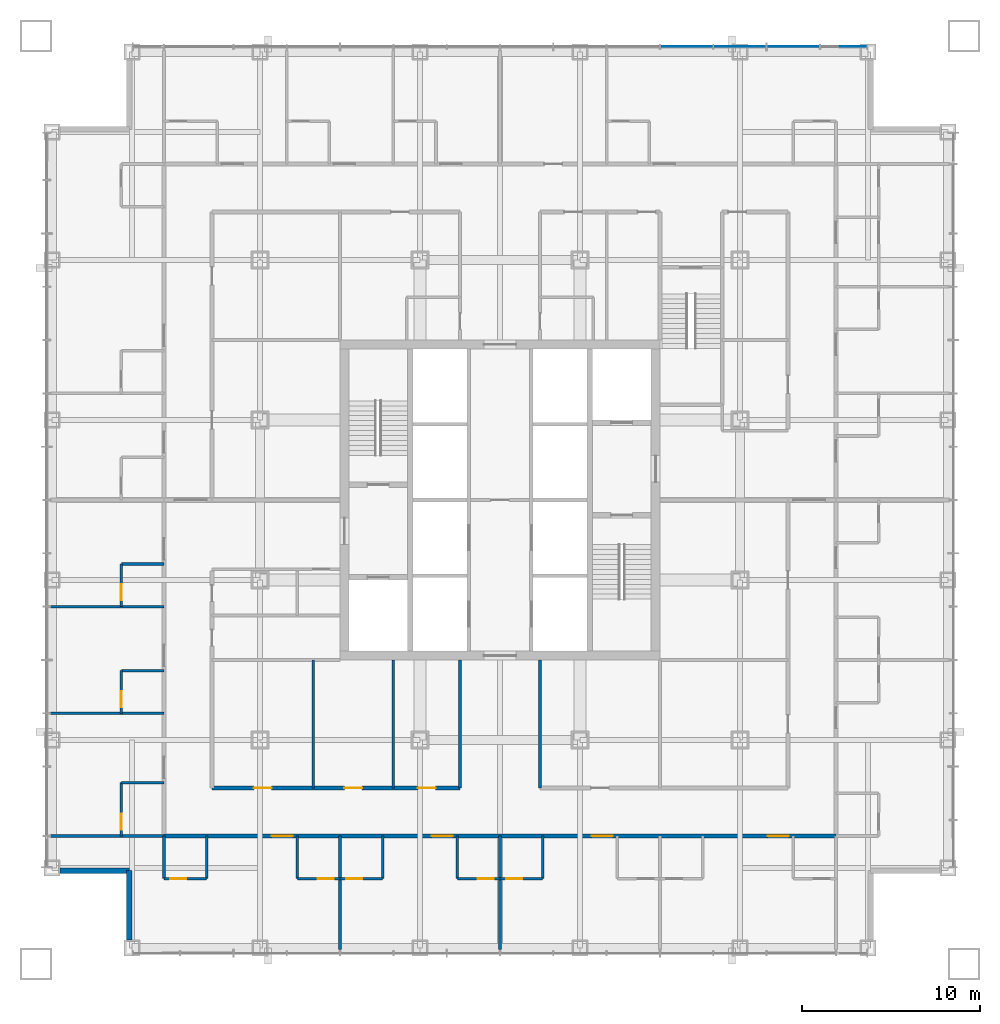
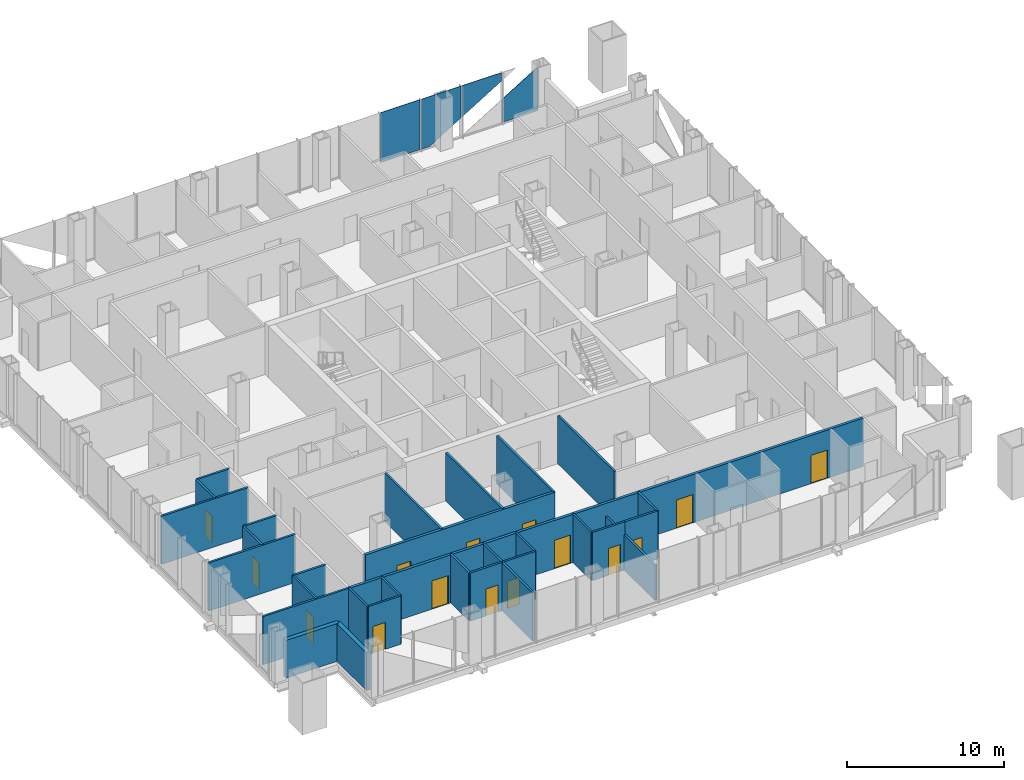
# One storey, part 7 of 17: 30 walls, 15 doors, 4 plates, 15 openings, 1 element without a shape of its own.
"""IFC4 building model written with IfcOpenShell, lengths in metres."""

from ifc_helpers import new_model, si_unit, direction, frame, frame_2d, origin, origin_2d, place, context, subcontext, project, spatial, polyline, rectangle, outline, extrude, material, layer, layer_set, type_object, element, fill, aggregate, save


model = new_model("IFC4")

# Units and contexts
model_context = context("Model", 3, precision=1e-05, world=origin(), true_north=direction((0.0, 1.0)))
body_context = subcontext(model_context, "Body", "Model", "MODEL_VIEW")
ifc_project = project(units=[si_unit("LENGTHUNIT", "METRE"), si_unit("AREAUNIT", "SQUARE_METRE"), si_unit("VOLUMEUNIT", "CUBIC_METRE"), si_unit("PLANEANGLEUNIT", "RADIAN"), si_unit("MASSUNIT", "GRAM", prefix="KILO")], contexts=[model_context])

# Site, building, storey
site_placement = place(None, origin())
site = spatial("IfcSite", under=ifc_project, at=site_placement, CompositionType="ELEMENT")
building_placement = place(site_placement, origin())
building = spatial("IfcBuilding", under=site, at=building_placement, Name="Malebo Sky Hospital", CompositionType="ELEMENT")
storey_placement = place(building_placement, frame((0.0, 0.0, 55.0)))
storey = spatial("IfcBuildingStorey", under=building, at=storey_placement, Name="L12", CompositionType="ELEMENT", Elevation=55.0)

# Curtain wall, plates
ifc_material_1 = material(Name="Anodised aluminium, natural silver", Category="aluminium")
ifc_layer_1 = layer(ifc_material_1, 0.25)
ifc_layer_set_1 = layer_set([ifc_layer_1], Name="WARD CURTAIN WALL NORTH AND SOUTH")
curtain_wall_type = type_object("IfcCurtainWallType", Name="WARD CURTAIN WALL NORTH AND SOUTH", PredefinedType="NOTDEFINED", material=ifc_layer_set_1)
curtain_wall_placement = place(storey_placement, origin())
curtain_wall = element("IfcCurtainWall", 1, at=curtain_wall_placement, inside=storey, type_object=curtain_wall_type, Name="NS curtain wall N", PredefinedType="NOTDEFINED")
ifc_material_2 = material(Name="Clear low-iron double glazing", Category="glass")
ifc_layer_2 = layer(ifc_material_2, 0.031982421875)
ifc_layer_set_2 = layer_set([ifc_layer_2], Name="VISION PANEL CLEAR 32")
plate_type = type_object("IfcPlateType", Name="VISION PANEL CLEAR 32", PredefinedType="CURTAIN_PANEL", material=ifc_layer_set_2)
plate_1_placement = place(storey_placement, frame((70.5, 87.5, 0.10009765625), z_axis=(0.0, 0.0, 1.0), x_axis=(1.0, 0.0, 0.0)))
plate_1 = element("IfcPlate", 2, at=plate_1_placement, type_object=plate_type, Name="Panel 11", PredefinedType="CURTAIN_PANEL", context=body_context, shape_type="SweptSolid", body=[
    extrude(rectangle(XDim=2.925048828125, YDim=0.031982421875, at=origin_2d()), origin(), (0.0, 0.0, 1.0), 3.889892578125),
])
plate_2_placement = place(storey_placement, frame((73.5, 87.5, 0.10009765625), z_axis=(0.0, 0.0, 1.0), x_axis=(1.0, 0.0, 0.0)))
plate_2 = element("IfcPlate", 3, at=plate_2_placement, type_object=plate_type, Name="Panel 12", PredefinedType="CURTAIN_PANEL", context=body_context, shape_type="SweptSolid", body=[
    extrude(outline(polyline([(-1.46240234375, 0.0), (-0.831298828125, 0.0), (1.46240234375, 1.40625), (1.46240234375, 3.889892578125), (-1.46240234375, 3.889892578125), (-1.46240234375, 0.0)])), frame((0.0, 0.01611328125, 0.0), z_axis=(0.0, -1.0, 0.0), x_axis=(1.0, 0.0, 0.0)), (0.0, 0.0, 1.0), 0.031982421875),
])
plate_3_placement = place(storey_placement, frame((76.5, 87.5, 1.552001953125), z_axis=(0.0, 0.0, 1.0), x_axis=(1.0, 0.0, 0.0)))
plate_3 = element("IfcPlate", 4, at=plate_3_placement, type_object=plate_type, Name="Panel 13", PredefinedType="CURTAIN_PANEL", context=body_context, shape_type="SweptSolid", body=[
    extrude(outline(polyline([(-1.46240234375, 0.0), (1.46240234375, 1.793212890625), (1.46240234375, 2.43798828125), (-1.46240234375, 2.43798828125), (-1.46240234375, 0.0)])), frame((0.0, 0.01611328125, 0.0), z_axis=(0.0, -1.0, 0.0), x_axis=(1.0, 0.0, 0.0)), (0.0, 0.0, 1.0), 0.031982421875),
])
plate_4_placement = place(storey_placement, frame((79.331298828125, 87.5, 0.099853515625), z_axis=(0.0, 0.0, 1.0), x_axis=(1.0, 0.0, 0.0)))
plate_4 = element("IfcPlate", 5, at=plate_4_placement, type_object=plate_type, Name="Panel 14", PredefinedType="CURTAIN_PANEL", context=body_context, shape_type="SweptSolid", body=[
    extrude(outline(polyline([(-1.293701171875, 0.0), (1.293701171875, 0.0), (1.293701171875, 3.41015625), (-1.293701171875, 1.823974609375), (-1.293701171875, 0.0)])), frame((0.0, 0.01611328125, 0.0), z_axis=(0.0, -1.0, 0.0), x_axis=(1.0, 0.0, 0.0)), (0.0, 0.0, 1.0), 0.031982421875),
])
aggregate(curtain_wall, [plate_1, plate_2, plate_3, plate_4])

# Wall, openings, doors
ifc_material_3 = material(Name="Gypsum board on steel studs", Category="steel")
ifc_layer_3 = layer(ifc_material_3, 0.199951171875)
ifc_layer_set_3 = layer_set([ifc_layer_3], Name="CORRIDOR WALL 200")
wall_type_1 = type_object("IfcWallType", Name="CORRIDOR WALL 200", PredefinedType="PARTITIONING", material=ifc_layer_set_3)
wall_1_placement = place(storey_placement, frame((78.89990234375, 43.10009765625, 0.0), z_axis=(0.0, 0.0, 1.0), x_axis=(-1.0, 0.0, 0.0)))
wall_1 = element("IfcWall", 6, at=wall_1_placement, inside=storey, type_object=wall_type_1, Name="Corridor Wall 200 SCO", PredefinedType="PARTITIONING", context=body_context, shape_type="SweptSolid", body=[
    extrude(rectangle(XDim=37.7998046875, YDim=0.199951171875, at=frame_2d((18.89990234375, 0.0))), origin(), (0.0, 0.0, 1.0), 3.75),
])
opening_1_placement = place(wall_1_placement, frame((2.64990234375, 0.0, 0.0)))
opening_1 = element("IfcOpeningElement", 7, at=opening_1_placement, cuts=wall_1, Name="Opening D01", PredefinedType="OPENING", context=body_context, shape_type="SweptSolid", body=[
    extrude(rectangle(XDim=1.199951171875, YDim=2.199951171875, at=frame_2d((0.60009765625, 1.10009765625))), frame((0.0, 0.10986328125, 0.0), z_axis=(0.0, -1.0, 0.0), x_axis=(1.0, 0.0, 0.0)), (0.0, 0.0, 1.0), 0.219970703125),
])
opening_2_placement = place(wall_1_placement, frame((12.550048828125, 0.0, 0.0)))
opening_2 = element("IfcOpeningElement", 8, at=opening_2_placement, cuts=wall_1, Name="Opening D01", PredefinedType="OPENING", context=body_context, shape_type="SweptSolid", body=[
    extrude(rectangle(XDim=1.199951171875, YDim=2.199951171875, at=frame_2d((0.60009765625, 1.10009765625))), frame((0.0, 0.10986328125, 0.0), z_axis=(0.0, -1.0, 0.0), x_axis=(1.0, 0.0, 0.0)), (0.0, 0.0, 1.0), 0.219970703125),
])
opening_3_placement = place(wall_1_placement, frame((21.550048828125, 0.0, 0.0)))
opening_3 = element("IfcOpeningElement", 9, at=opening_3_placement, cuts=wall_1, Name="Opening D01", PredefinedType="OPENING", context=body_context, shape_type="SweptSolid", body=[
    extrude(rectangle(XDim=1.199951171875, YDim=2.199951171875, at=frame_2d((0.60009765625, 1.10009765625))), frame((0.0, 0.10986328125, 0.0), z_axis=(0.0, -1.0, 0.0), x_axis=(1.0, 0.0, 0.0)), (0.0, 0.0, 1.0), 0.219970703125),
])
opening_4_placement = place(wall_1_placement, frame((30.550048828125, 0.0, 0.0)))
opening_4 = element("IfcOpeningElement", 10, at=opening_4_placement, cuts=wall_1, Name="Opening D01", PredefinedType="OPENING", context=body_context, shape_type="SweptSolid", body=[
    extrude(rectangle(XDim=1.199951171875, YDim=2.199951171875, at=frame_2d((0.60009765625, 1.10009765625))), frame((0.0, 0.10986328125, 0.0), z_axis=(0.0, -1.0, 0.0), x_axis=(1.0, 0.0, 0.0)), (0.0, 0.0, 1.0), 0.219970703125),
])
ifc_material_4 = material(Name="Hardwood-faced door leaf in steel frame", Category="steel")
door_type_1 = type_object("IfcDoorType", Name="BED DOOR 1200", OperationType="SINGLE_SWING_LEFT", PredefinedType="DOOR", material=ifc_material_4)
door_1_placement = place(opening_1_placement, origin())
door_1 = element("IfcDoor", 11, at=door_1_placement, inside=storey, type_object=door_type_1, Name="Four-bed bay door", OperationType="SINGLE_SWING_LEFT", OverallHeight=2.199951171875, OverallWidth=1.199951171875, PredefinedType="DOOR", context=body_context, shape_type="SweptSolid", body=[
    extrude(rectangle(XDim=1.199951171875, YDim=2.199951171875, at=frame_2d((0.60009765625, 1.10009765625))), frame((0.0, 0.02490234375, 0.0), z_axis=(0.0, -1.0, 0.0), x_axis=(1.0, 0.0, 0.0)), (0.0, 0.0, 1.0), 0.050048828125),
])
fill(opening_1, door_1)
door_2_placement = place(opening_2_placement, origin())
door_2 = element("IfcDoor", 12, at=door_2_placement, inside=storey, type_object=door_type_1, Name="Four-bed bay door", OperationType="SINGLE_SWING_LEFT", OverallHeight=2.199951171875, OverallWidth=1.199951171875, PredefinedType="DOOR", context=body_context, shape_type="SweptSolid", body=[
    extrude(rectangle(XDim=1.199951171875, YDim=2.199951171875, at=frame_2d((0.60009765625, 1.10009765625))), frame((0.0, 0.02490234375, 0.0), z_axis=(0.0, -1.0, 0.0), x_axis=(1.0, 0.0, 0.0)), (0.0, 0.0, 1.0), 0.050048828125),
])
fill(opening_2, door_2)
door_3_placement = place(opening_3_placement, origin())
door_3 = element("IfcDoor", 13, at=door_3_placement, inside=storey, type_object=door_type_1, Name="Four-bed bay door", OperationType="SINGLE_SWING_LEFT", OverallHeight=2.199951171875, OverallWidth=1.199951171875, PredefinedType="DOOR", context=body_context, shape_type="SweptSolid", body=[
    extrude(rectangle(XDim=1.199951171875, YDim=2.199951171875, at=frame_2d((0.60009765625, 1.10009765625))), frame((0.0, 0.02490234375, 0.0), z_axis=(0.0, -1.0, 0.0), x_axis=(1.0, 0.0, 0.0)), (0.0, 0.0, 1.0), 0.050048828125),
])
fill(opening_3, door_3)
door_4_placement = place(opening_4_placement, origin())
door_4 = element("IfcDoor", 14, at=door_4_placement, inside=storey, type_object=door_type_1, Name="Four-bed bay door", OperationType="SINGLE_SWING_LEFT", OverallHeight=2.199951171875, OverallWidth=1.199951171875, PredefinedType="DOOR", context=body_context, shape_type="SweptSolid", body=[
    extrude(rectangle(XDim=1.199951171875, YDim=2.199951171875, at=frame_2d((0.60009765625, 1.10009765625))), frame((0.0, 0.02490234375, 0.0), z_axis=(0.0, -1.0, 0.0), x_axis=(1.0, 0.0, 0.0)), (0.0, 0.0, 1.0), 0.050048828125),
])
fill(opening_4, door_4)

wall_2_placement = place(storey_placement, frame((57.75, 45.800048828125, 0.0), z_axis=(0.0, 0.0, 1.0), x_axis=(-1.0, 0.0, 0.0)))
wall_2 = element("IfcWall", 15, at=wall_2_placement, inside=storey, type_object=wall_type_1, Name="Corridor Wall 200 SCI2", PredefinedType="PARTITIONING", context=body_context, shape_type="SweptSolid", body=[
    extrude(rectangle(XDim=13.949951171875, YDim=0.199951171875, at=frame_2d((6.97509765625, 0.0))), origin(), (0.0, 0.0, 1.0), 3.75),
])
opening_5_placement = place(wall_2_placement, frame((1.375, 0.0, 0.0)))
opening_5 = element("IfcOpeningElement", 16, at=opening_5_placement, cuts=wall_2, Name="Opening D03", PredefinedType="OPENING", context=body_context, shape_type="SweptSolid", body=[
    extrude(rectangle(XDim=1.0, YDim=2.10009765625, at=frame_2d((0.5, 1.050048828125))), frame((0.0, 0.10986328125, 0.0), z_axis=(0.0, -1.0, 0.0), x_axis=(1.0, 0.0, 0.0)), (0.0, 0.0, 1.0), 0.219970703125),
])
opening_6_placement = place(wall_2_placement, frame((5.5, 0.0, 0.0)))
opening_6 = element("IfcOpeningElement", 17, at=opening_6_placement, cuts=wall_2, Name="Opening D03", PredefinedType="OPENING", context=body_context, shape_type="SweptSolid", body=[
    extrude(rectangle(XDim=1.0, YDim=2.10009765625, at=frame_2d((0.5, 1.050048828125))), frame((0.0, 0.10986328125, 0.0), z_axis=(0.0, -1.0, 0.0), x_axis=(1.0, 0.0, 0.0)), (0.0, 0.0, 1.0), 0.219970703125),
])
opening_7_placement = place(wall_2_placement, frame((10.60009765625, 0.0, 0.0)))
opening_7 = element("IfcOpeningElement", 18, at=opening_7_placement, cuts=wall_2, Name="Opening D03", PredefinedType="OPENING", context=body_context, shape_type="SweptSolid", body=[
    extrude(rectangle(XDim=1.0, YDim=2.10009765625, at=frame_2d((0.5, 1.050048828125))), frame((0.0, 0.10986328125, 0.0), z_axis=(0.0, -1.0, 0.0), x_axis=(1.0, 0.0, 0.0)), (0.0, 0.0, 1.0), 0.219970703125),
])
door_type_2 = type_object("IfcDoorType", Name="ROOM DOOR 1000", OperationType="SINGLE_SWING_LEFT", PredefinedType="DOOR", material=ifc_material_4)
door_5_placement = place(opening_5_placement, origin())
door_5 = element("IfcDoor", 19, at=door_5_placement, inside=storey, type_object=door_type_2, Name="Ward office door", OperationType="SINGLE_SWING_LEFT", OverallHeight=2.10009765625, OverallWidth=1.0, PredefinedType="DOOR", context=body_context, shape_type="SweptSolid", body=[
    extrude(rectangle(XDim=1.0, YDim=2.10009765625, at=frame_2d((0.5, 1.050048828125))), frame((0.0, 0.02490234375, 0.0), z_axis=(0.0, -1.0, 0.0), x_axis=(1.0, 0.0, 0.0)), (0.0, 0.0, 1.0), 0.050048828125),
])
fill(opening_5, door_5)
door_6_placement = place(opening_6_placement, origin())
door_6 = element("IfcDoor", 20, at=door_6_placement, inside=storey, type_object=door_type_2, Name="Dirty utility room door", OperationType="SINGLE_SWING_LEFT", OverallHeight=2.10009765625, OverallWidth=1.0, PredefinedType="DOOR", context=body_context, shape_type="SweptSolid", body=[
    extrude(rectangle(XDim=1.0, YDim=2.10009765625, at=frame_2d((0.5, 1.050048828125))), frame((0.0, 0.02490234375, 0.0), z_axis=(0.0, -1.0, 0.0), x_axis=(1.0, 0.0, 0.0)), (0.0, 0.0, 1.0), 0.050048828125),
])
fill(opening_6, door_6)
door_7_placement = place(opening_7_placement, origin())
door_7 = element("IfcDoor", 21, at=door_7_placement, inside=storey, type_object=door_type_2, Name="Interview room door", OperationType="SINGLE_SWING_RIGHT", OverallHeight=2.10009765625, OverallWidth=1.0, PredefinedType="DOOR", context=body_context, shape_type="SweptSolid", body=[
    extrude(rectangle(XDim=1.0, YDim=2.10009765625, at=frame_2d((0.5, 1.050048828125))), frame((0.0, 0.02490234375, 0.0), z_axis=(0.0, -1.0, 0.0), x_axis=(1.0, 0.0, 0.0)), (0.0, 0.0, 1.0), 0.050048828125),
])
fill(opening_7, door_7)

# Walls
ifc_material_5 = material(Name="Anodised aluminium rainscreen on steel framing", Category="steel")
ifc_layer_4 = layer(ifc_material_5, 0.300048828125)
ifc_layer_set_4 = layer_set([ifc_layer_4], Name="NOTCH RAINSCREEN WALL 300")
wall_type_2 = type_object("IfcWallType", Name="NOTCH RAINSCREEN WALL 300", PredefinedType="ELEMENTEDWALL", material=ifc_layer_set_4)
for number, where, z_axis, x_axis, name in (
    (22, (39.14990234375, 37.25, 0.0), (0.0, 0.0, 1.0), (0.0, 1.0, 0.0), "Notch rainscreen wall S1 L12"),
    (23, (39.14990234375, 41.14990234375, 0.0), (0.0, 0.0, 1.0), (-1.0, 0.0, 0.0), "Notch rainscreen wall S2 L12"),
):
    element("IfcWall", number, at=place(storey_placement, frame(where, z_axis=z_axis, x_axis=x_axis)), inside=storey, type_object=wall_type_2, Name=name, PredefinedType="ELEMENTEDWALL", context=body_context, shape_type="SweptSolid", body=[
        extrude(rectangle(XDim=3.89990234375, YDim=0.300048828125, at=frame_2d((1.949951171875, 0.0))), origin(), (0.0, 0.0, 1.0), 2.949951171875),
    ])
ifc_layer_5 = layer(ifc_material_3, 0.14990234375)
ifc_layer_set_5 = layer_set([ifc_layer_5], Name="PARTITION 150")
wall_type_3 = type_object("IfcWallType", Name="PARTITION 150", PredefinedType="PARTITIONING", material=ifc_layer_set_5)
for number, where, z_axis, x_axis, name in (
    (24, (41.10009765625, 50.0, 0.0), (0.0, 0.0, 1.0), (-1.0, 0.0, 0.0), "Partition 150 WP-12.0"),
    (25, (41.10009765625, 56.0, 0.0), (0.0, 0.0, 1.0), (-1.0, 0.0, 0.0), "Partition 150 WP-6.0"),
    (26, (41.10009765625, 43.10009765625, 0.0), (0.0, 0.0, 1.0), (-1.0, 0.0, 0.0), "Partition 150 WP0"),
):
    element("IfcWall", number, at=place(storey_placement, frame(where, z_axis=z_axis, x_axis=x_axis)), inside=storey, type_object=wall_type_3, Name=name, PredefinedType="PARTITIONING", context=body_context, shape_type="SweptSolid", body=[
        extrude(rectangle(XDim=6.375, YDim=0.14990234375, at=frame_2d((3.1875, 0.0))), origin(), (0.0, 0.0, 1.0), 3.75),
    ])

# Wall, opening, door
wall_3_placement = place(storey_placement, frame((38.699951171875, 43.10009765625, 0.0), z_axis=(0.0, 0.0, 1.0), x_axis=(0.0, 1.0, 0.0)))
wall_3 = element("IfcWall", 27, at=wall_3_placement, inside=storey, type_object=wall_type_3, Name="Partition 150 WE0F", PredefinedType="PARTITIONING", context=body_context, shape_type="SweptSolid", body=[
    extrude(rectangle(XDim=3.0, YDim=0.14990234375, at=frame_2d((1.5, 0.0))), origin(), (0.0, 0.0, 1.0), 3.75),
])
opening_8_placement = place(wall_3_placement, frame((0.35009765625, 0.0, 0.0)))
opening_8 = element("IfcOpeningElement", 28, at=opening_8_placement, cuts=wall_3, Name="Opening D02", PredefinedType="OPENING", context=body_context, shape_type="SweptSolid", body=[
    extrude(rectangle(XDim=0.89990234375, YDim=2.10009765625, at=frame_2d((0.449951171875, 1.050048828125))), frame((0.0, 0.0849609375, 0.0), z_axis=(0.0, -1.0, 0.0), x_axis=(1.0, 0.0, 0.0)), (0.0, 0.0, 1.0), 0.169921875),
])
door_type_3 = type_object("IfcDoorType", Name="EN-SUITE DOOR 900", OperationType="SINGLE_SWING_LEFT", PredefinedType="DOOR", material=ifc_material_4)
door_8_placement = place(opening_8_placement, origin())
door_8 = element("IfcDoor", 29, at=door_8_placement, inside=storey, type_object=door_type_3, Name="En-suite door", OperationType="SINGLE_SWING_LEFT", OverallHeight=2.10009765625, OverallWidth=0.89990234375, PredefinedType="DOOR", context=body_context, shape_type="SweptSolid", body=[
    extrude(rectangle(XDim=0.89990234375, YDim=2.10009765625, at=frame_2d((0.449951171875, 1.050048828125))), frame((0.0, 0.02490234375, 0.0), z_axis=(0.0, -1.0, 0.0), x_axis=(1.0, 0.0, 0.0)), (0.0, 0.0, 1.0), 0.050048828125),
])
fill(opening_8, door_8)

# Wall
wall_4_placement = place(storey_placement, frame((41.10009765625, 46.10009765625, 0.0), z_axis=(0.0, 0.0, 1.0), x_axis=(-1.0, 0.0, 0.0)))
element("IfcWall", 30, at=wall_4_placement, inside=storey, type_object=wall_type_3, Name="Partition 150 WE0S", PredefinedType="PARTITIONING", context=body_context, shape_type="SweptSolid", body=[
    extrude(rectangle(XDim=2.400146484375, YDim=0.14990234375, at=frame_2d((1.2001953125, 0.0))), origin(), (0.0, 0.0, 1.0), 3.75),
])

# Wall, opening, door
wall_5_placement = place(storey_placement, frame((38.699951171875, 50.0, 0.0), z_axis=(0.0, 0.0, 1.0), x_axis=(0.0, 1.0, 0.0)))
wall_5 = element("IfcWall", 31, at=wall_5_placement, inside=storey, type_object=wall_type_3, Name="Partition 150 WE1F", PredefinedType="PARTITIONING", context=body_context, shape_type="SweptSolid", body=[
    extrude(rectangle(XDim=2.39990234375, YDim=0.14990234375, at=frame_2d((1.199951171875, 0.0))), origin(), (0.0, 0.0, 1.0), 3.75),
])
opening_9_placement = place(wall_5_placement, frame((0.35009765625, 0.0, 0.0)))
opening_9 = element("IfcOpeningElement", 32, at=opening_9_placement, cuts=wall_5, Name="Opening D02", PredefinedType="OPENING", context=body_context, shape_type="SweptSolid", body=[
    extrude(rectangle(XDim=0.89990234375, YDim=2.10009765625, at=frame_2d((0.449951171875, 1.050048828125))), frame((0.0, 0.0849609375, 0.0), z_axis=(0.0, -1.0, 0.0), x_axis=(1.0, 0.0, 0.0)), (0.0, 0.0, 1.0), 0.169921875),
])
door_9_placement = place(opening_9_placement, origin())
door_9 = element("IfcDoor", 33, at=door_9_placement, inside=storey, type_object=door_type_3, Name="En-suite door", OperationType="SINGLE_SWING_LEFT", OverallHeight=2.10009765625, OverallWidth=0.89990234375, PredefinedType="DOOR", context=body_context, shape_type="SweptSolid", body=[
    extrude(rectangle(XDim=0.89990234375, YDim=2.10009765625, at=frame_2d((0.449951171875, 1.050048828125))), frame((0.0, 0.02490234375, 0.0), z_axis=(0.0, -1.0, 0.0), x_axis=(1.0, 0.0, 0.0)), (0.0, 0.0, 1.0), 0.050048828125),
])
fill(opening_9, door_9)

# Wall
wall_6_placement = place(storey_placement, frame((41.10009765625, 52.39990234375, 0.0), z_axis=(0.0, 0.0, 1.0), x_axis=(-1.0, 0.0, 0.0)))
element("IfcWall", 34, at=wall_6_placement, inside=storey, type_object=wall_type_3, Name="Partition 150 WE1S", PredefinedType="PARTITIONING", context=body_context, shape_type="SweptSolid", body=[
    extrude(rectangle(XDim=2.400146484375, YDim=0.14990234375, at=frame_2d((1.2001953125, 0.0))), origin(), (0.0, 0.0, 1.0), 3.75),
])

# Wall, opening, door
wall_7_placement = place(storey_placement, frame((38.699951171875, 56.0, 0.0), z_axis=(0.0, 0.0, 1.0), x_axis=(0.0, 1.0, 0.0)))
wall_7 = element("IfcWall", 35, at=wall_7_placement, inside=storey, type_object=wall_type_3, Name="Partition 150 WE2F", PredefinedType="PARTITIONING", context=body_context, shape_type="SweptSolid", body=[
    extrude(rectangle(XDim=2.39990234375, YDim=0.14990234375, at=frame_2d((1.199951171875, 0.0))), origin(), (0.0, 0.0, 1.0), 3.75),
])
opening_10_placement = place(wall_7_placement, frame((0.35009765625, 0.0, 0.0)))
opening_10 = element("IfcOpeningElement", 36, at=opening_10_placement, cuts=wall_7, Name="Opening D02", PredefinedType="OPENING", context=body_context, shape_type="SweptSolid", body=[
    extrude(rectangle(XDim=0.89990234375, YDim=2.10009765625, at=frame_2d((0.449951171875, 1.050048828125))), frame((0.0, 0.0849609375, 0.0), z_axis=(0.0, -1.0, 0.0), x_axis=(1.0, 0.0, 0.0)), (0.0, 0.0, 1.0), 0.169921875),
])
door_10_placement = place(opening_10_placement, origin())
door_10 = element("IfcDoor", 37, at=door_10_placement, inside=storey, type_object=door_type_3, Name="En-suite door", OperationType="SINGLE_SWING_LEFT", OverallHeight=2.10009765625, OverallWidth=0.89990234375, PredefinedType="DOOR", context=body_context, shape_type="SweptSolid", body=[
    extrude(rectangle(XDim=0.89990234375, YDim=2.10009765625, at=frame_2d((0.449951171875, 1.050048828125))), frame((0.0, 0.02490234375, 0.0), z_axis=(0.0, -1.0, 0.0), x_axis=(1.0, 0.0, 0.0)), (0.0, 0.0, 1.0), 0.050048828125),
])
fill(opening_10, door_10)

# Walls
wall_8_placement = place(storey_placement, frame((41.10009765625, 58.39990234375, 0.0), z_axis=(0.0, 0.0, 1.0), x_axis=(-1.0, 0.0, 0.0)))
element("IfcWall", 38, at=wall_8_placement, inside=storey, type_object=wall_type_3, Name="Partition 150 WE2S", PredefinedType="PARTITIONING", context=body_context, shape_type="SweptSolid", body=[
    extrude(rectangle(XDim=2.400146484375, YDim=0.14990234375, at=frame_2d((1.2001953125, 0.0))), origin(), (0.0, 0.0, 1.0), 3.75),
])
wall_9_placement = place(storey_placement, frame((60.0, 43.10009765625, 0.0), z_axis=(0.0, 0.0, 1.0), x_axis=(0.0, -1.0, 0.0)))
element("IfcWall", 39, at=wall_9_placement, inside=storey, type_object=wall_type_3, Name="Partition 150 SP+0.0", PredefinedType="PARTITIONING", context=body_context, shape_type="SweptSolid", body=[
    extrude(rectangle(XDim=6.375, YDim=0.14990234375, at=frame_2d((3.1875, 0.0))), origin(), (0.0, 0.0, 1.0), 2.75),
])
wall_10_placement = place(storey_placement, frame((51.0, 43.10009765625, 0.0), z_axis=(0.0, 0.0, 1.0), x_axis=(0.0, -1.0, 0.0)))
element("IfcWall", 40, at=wall_10_placement, inside=storey, type_object=wall_type_3, Name="Partition 150 SP+9.0", PredefinedType="PARTITIONING", context=body_context, shape_type="SweptSolid", body=[
    extrude(rectangle(XDim=6.375, YDim=0.14990234375, at=frame_2d((3.1875, 0.0))), origin(), (0.0, 0.0, 1.0), 3.75),
])

# Wall, opening, door
wall_11_placement = place(storey_placement, frame((62.39990234375, 40.699951171875, 0.0), z_axis=(0.0, 0.0, 1.0), x_axis=(-1.0, 0.0, 0.0)))
wall_11 = element("IfcWall", 41, at=wall_11_placement, inside=storey, type_object=wall_type_3, Name="Partition 150 SG1F", PredefinedType="PARTITIONING", context=body_context, shape_type="SweptSolid", body=[
    extrude(rectangle(XDim=2.39990234375, YDim=0.14990234375, at=frame_2d((1.199951171875, 0.0))), origin(), (0.0, 0.0, 1.0), 3.75),
])
opening_11_placement = place(wall_11_placement, frame((1.14990234375, 0.0, 0.0)))
opening_11 = element("IfcOpeningElement", 42, at=opening_11_placement, cuts=wall_11, Name="Opening D02", PredefinedType="OPENING", context=body_context, shape_type="SweptSolid", body=[
    extrude(rectangle(XDim=0.89990234375, YDim=2.10009765625, at=frame_2d((0.449951171875, 1.050048828125))), frame((0.0, 0.0849609375, 0.0), z_axis=(0.0, -1.0, 0.0), x_axis=(1.0, 0.0, 0.0)), (0.0, 0.0, 1.0), 0.169921875),
])
door_11_placement = place(opening_11_placement, origin())
door_11 = element("IfcDoor", 43, at=door_11_placement, inside=storey, type_object=door_type_3, Name="En-suite door", OperationType="SINGLE_SWING_RIGHT", OverallHeight=2.10009765625, OverallWidth=0.89990234375, PredefinedType="DOOR", context=body_context, shape_type="SweptSolid", body=[
    extrude(rectangle(XDim=0.89990234375, YDim=2.10009765625, at=frame_2d((0.449951171875, 1.050048828125))), frame((0.0, 0.02490234375, 0.0), z_axis=(0.0, -1.0, 0.0), x_axis=(1.0, 0.0, 0.0)), (0.0, 0.0, 1.0), 0.050048828125),
])
fill(opening_11, door_11)

# Wall
wall_12_placement = place(storey_placement, frame((62.39990234375, 43.10009765625, 0.0), z_axis=(0.0, 0.0, 1.0), x_axis=(0.0, -1.0, 0.0)))
element("IfcWall", 44, at=wall_12_placement, inside=storey, type_object=wall_type_3, Name="Partition 150 SG1S", PredefinedType="PARTITIONING", context=body_context, shape_type="SweptSolid", body=[
    extrude(rectangle(XDim=2.400146484375, YDim=0.14990234375, at=frame_2d((1.2001953125, 0.0))), origin(), (0.0, 0.0, 1.0), 3.75),
])

# Wall, opening, door
wall_13_placement = place(storey_placement, frame((60.0, 40.699951171875, 0.0), z_axis=(0.0, 0.0, 1.0), x_axis=(-1.0, 0.0, 0.0)))
wall_13 = element("IfcWall", 45, at=wall_13_placement, inside=storey, type_object=wall_type_3, Name="Partition 150 SE2F", PredefinedType="PARTITIONING", context=body_context, shape_type="SweptSolid", body=[
    extrude(rectangle(XDim=2.39990234375, YDim=0.14990234375, at=frame_2d((1.199951171875, 0.0))), origin(), (0.0, 0.0, 1.0), 3.75),
])
opening_12_placement = place(wall_13_placement, frame((0.35009765625, 0.0, 0.0)))
opening_12 = element("IfcOpeningElement", 46, at=opening_12_placement, cuts=wall_13, Name="Opening D02", PredefinedType="OPENING", context=body_context, shape_type="SweptSolid", body=[
    extrude(rectangle(XDim=0.89990234375, YDim=2.10009765625, at=frame_2d((0.449951171875, 1.050048828125))), frame((0.0, 0.0849609375, 0.0), z_axis=(0.0, -1.0, 0.0), x_axis=(1.0, 0.0, 0.0)), (0.0, 0.0, 1.0), 0.169921875),
])
door_12_placement = place(opening_12_placement, origin())
door_12 = element("IfcDoor", 47, at=door_12_placement, inside=storey, type_object=door_type_3, Name="En-suite door", OperationType="SINGLE_SWING_LEFT", OverallHeight=2.10009765625, OverallWidth=0.89990234375, PredefinedType="DOOR", context=body_context, shape_type="SweptSolid", body=[
    extrude(rectangle(XDim=0.89990234375, YDim=2.10009765625, at=frame_2d((0.449951171875, 1.050048828125))), frame((0.0, 0.02490234375, 0.0), z_axis=(0.0, -1.0, 0.0), x_axis=(1.0, 0.0, 0.0)), (0.0, 0.0, 1.0), 0.050048828125),
])
fill(opening_12, door_12)

# Wall
wall_14_placement = place(storey_placement, frame((57.60009765625, 43.10009765625, 0.0), z_axis=(0.0, 0.0, 1.0), x_axis=(0.0, -1.0, 0.0)))
element("IfcWall", 48, at=wall_14_placement, inside=storey, type_object=wall_type_3, Name="Partition 150 SE2S", PredefinedType="PARTITIONING", context=body_context, shape_type="SweptSolid", body=[
    extrude(rectangle(XDim=2.400146484375, YDim=0.14990234375, at=frame_2d((1.2001953125, 0.0))), origin(), (0.0, 0.0, 1.0), 3.75),
])

# Wall, opening, door
wall_15_placement = place(storey_placement, frame((53.39990234375, 40.699951171875, 0.0), z_axis=(0.0, 0.0, 1.0), x_axis=(-1.0, 0.0, 0.0)))
wall_15 = element("IfcWall", 49, at=wall_15_placement, inside=storey, type_object=wall_type_3, Name="Partition 150 SG2F", PredefinedType="PARTITIONING", context=body_context, shape_type="SweptSolid", body=[
    extrude(rectangle(XDim=2.39990234375, YDim=0.14990234375, at=frame_2d((1.199951171875, 0.0))), origin(), (0.0, 0.0, 1.0), 3.75),
])
opening_13_placement = place(wall_15_placement, frame((1.14990234375, 0.0, 0.0)))
opening_13 = element("IfcOpeningElement", 50, at=opening_13_placement, cuts=wall_15, Name="Opening D02", PredefinedType="OPENING", context=body_context, shape_type="SweptSolid", body=[
    extrude(rectangle(XDim=0.89990234375, YDim=2.10009765625, at=frame_2d((0.449951171875, 1.050048828125))), frame((0.0, 0.0849609375, 0.0), z_axis=(0.0, -1.0, 0.0), x_axis=(1.0, 0.0, 0.0)), (0.0, 0.0, 1.0), 0.169921875),
])
door_13_placement = place(opening_13_placement, origin())
door_13 = element("IfcDoor", 51, at=door_13_placement, inside=storey, type_object=door_type_3, Name="En-suite door", OperationType="SINGLE_SWING_RIGHT", OverallHeight=2.10009765625, OverallWidth=0.89990234375, PredefinedType="DOOR", context=body_context, shape_type="SweptSolid", body=[
    extrude(rectangle(XDim=0.89990234375, YDim=2.10009765625, at=frame_2d((0.449951171875, 1.050048828125))), frame((0.0, 0.02490234375, 0.0), z_axis=(0.0, -1.0, 0.0), x_axis=(1.0, 0.0, 0.0)), (0.0, 0.0, 1.0), 0.050048828125),
])
fill(opening_13, door_13)

# Wall
wall_16_placement = place(storey_placement, frame((53.39990234375, 43.10009765625, 0.0), z_axis=(0.0, 0.0, 1.0), x_axis=(0.0, -1.0, 0.0)))
element("IfcWall", 52, at=wall_16_placement, inside=storey, type_object=wall_type_3, Name="Partition 150 SG2S", PredefinedType="PARTITIONING", context=body_context, shape_type="SweptSolid", body=[
    extrude(rectangle(XDim=2.400146484375, YDim=0.14990234375, at=frame_2d((1.2001953125, 0.0))), origin(), (0.0, 0.0, 1.0), 3.75),
])

# Wall, opening, door
wall_17_placement = place(storey_placement, frame((51.0, 40.699951171875, 0.0), z_axis=(0.0, 0.0, 1.0), x_axis=(-1.0, 0.0, 0.0)))
wall_17 = element("IfcWall", 53, at=wall_17_placement, inside=storey, type_object=wall_type_3, Name="Partition 150 SE3F", PredefinedType="PARTITIONING", context=body_context, shape_type="SweptSolid", body=[
    extrude(rectangle(XDim=2.39990234375, YDim=0.14990234375, at=frame_2d((1.199951171875, 0.0))), origin(), (0.0, 0.0, 1.0), 3.75),
])
opening_14_placement = place(wall_17_placement, frame((0.35009765625, 0.0, 0.0)))
opening_14 = element("IfcOpeningElement", 54, at=opening_14_placement, cuts=wall_17, Name="Opening D02", PredefinedType="OPENING", context=body_context, shape_type="SweptSolid", body=[
    extrude(rectangle(XDim=0.89990234375, YDim=2.10009765625, at=frame_2d((0.449951171875, 1.050048828125))), frame((0.0, 0.0849609375, 0.0), z_axis=(0.0, -1.0, 0.0), x_axis=(1.0, 0.0, 0.0)), (0.0, 0.0, 1.0), 0.169921875),
])
door_14_placement = place(opening_14_placement, origin())
door_14 = element("IfcDoor", 55, at=door_14_placement, inside=storey, type_object=door_type_3, Name="En-suite door", OperationType="SINGLE_SWING_LEFT", OverallHeight=2.10009765625, OverallWidth=0.89990234375, PredefinedType="DOOR", context=body_context, shape_type="SweptSolid", body=[
    extrude(rectangle(XDim=0.89990234375, YDim=2.10009765625, at=frame_2d((0.449951171875, 1.050048828125))), frame((0.0, 0.02490234375, 0.0), z_axis=(0.0, -1.0, 0.0), x_axis=(1.0, 0.0, 0.0)), (0.0, 0.0, 1.0), 0.050048828125),
])
fill(opening_14, door_14)

# Wall
wall_18_placement = place(storey_placement, frame((48.60009765625, 43.10009765625, 0.0), z_axis=(0.0, 0.0, 1.0), x_axis=(0.0, -1.0, 0.0)))
element("IfcWall", 56, at=wall_18_placement, inside=storey, type_object=wall_type_3, Name="Partition 150 SE3S", PredefinedType="PARTITIONING", context=body_context, shape_type="SweptSolid", body=[
    extrude(rectangle(XDim=2.400146484375, YDim=0.14990234375, at=frame_2d((1.2001953125, 0.0))), origin(), (0.0, 0.0, 1.0), 3.75),
])

# Wall, opening, door
wall_19_placement = place(storey_placement, frame((43.5, 40.699951171875, 0.0), z_axis=(0.0, 0.0, 1.0), x_axis=(-1.0, 0.0, 0.0)))
wall_19 = element("IfcWall", 57, at=wall_19_placement, inside=storey, type_object=wall_type_3, Name="Partition 150 SG3F", PredefinedType="PARTITIONING", context=body_context, shape_type="SweptSolid", body=[
    extrude(rectangle(XDim=2.39990234375, YDim=0.14990234375, at=frame_2d((1.199951171875, 0.0))), origin(), (0.0, 0.0, 1.0), 3.75),
])
opening_15_placement = place(wall_19_placement, frame((1.14990234375, 0.0, 0.0)))
opening_15 = element("IfcOpeningElement", 58, at=opening_15_placement, cuts=wall_19, Name="Opening D02", PredefinedType="OPENING", context=body_context, shape_type="SweptSolid", body=[
    extrude(rectangle(XDim=0.89990234375, YDim=2.10009765625, at=frame_2d((0.449951171875, 1.050048828125))), frame((0.0, 0.0849609375, 0.0), z_axis=(0.0, -1.0, 0.0), x_axis=(1.0, 0.0, 0.0)), (0.0, 0.0, 1.0), 0.169921875),
])
door_15_placement = place(opening_15_placement, origin())
door_15 = element("IfcDoor", 59, at=door_15_placement, inside=storey, type_object=door_type_3, Name="En-suite door", OperationType="SINGLE_SWING_RIGHT", OverallHeight=2.10009765625, OverallWidth=0.89990234375, PredefinedType="DOOR", context=body_context, shape_type="SweptSolid", body=[
    extrude(rectangle(XDim=0.89990234375, YDim=2.10009765625, at=frame_2d((0.449951171875, 1.050048828125))), frame((0.0, 0.02490234375, 0.0), z_axis=(0.0, -1.0, 0.0), x_axis=(1.0, 0.0, 0.0)), (0.0, 0.0, 1.0), 0.050048828125),
])
fill(opening_15, door_15)

# Walls
for number, where, z_axis, x_axis, name in (
    (60, (43.5, 43.10009765625, 0.0), (0.0, 0.0, 1.0), (0.0, -1.0, 0.0), "Partition 150 SG3S"),
    (61, (41.10009765625, 43.10009765625, 0.0), (0.0, 0.0, 1.0), (0.0, -1.0, 0.0), "Partition 150 SEZ"),
):
    element("IfcWall", number, at=place(storey_placement, frame(where, z_axis=z_axis, x_axis=x_axis)), inside=storey, type_object=wall_type_3, Name=name, PredefinedType="PARTITIONING", context=body_context, shape_type="SweptSolid", body=[
        extrude(rectangle(XDim=2.400146484375, YDim=0.14990234375, at=frame_2d((1.2001953125, 0.0))), origin(), (0.0, 0.0, 1.0), 3.75),
    ])
for number, where, z_axis, x_axis, name in (
    (62, (62.25, 53.0, 0.0), (0.0, 0.0, 1.0), (0.0, -1.0, 0.0), "Partition 150 SSPA"),
    (63, (57.75, 53.0, 0.0), (0.0, 0.0, 1.0), (0.0, -1.0, 0.0), "Partition 150 SSPB"),
    (64, (54.0, 53.0, 0.0), (0.0, 0.0, 1.0), (0.0, -1.0, 0.0), "Partition 150 SSP+6.0"),
    (65, (49.5, 53.0, 0.0), (0.0, 0.0, 1.0), (0.0, -1.0, 0.0), "Partition 150 SSP+10.5"),
):
    element("IfcWall", number, at=place(storey_placement, frame(where, z_axis=z_axis, x_axis=x_axis)), inside=storey, type_object=wall_type_3, Name=name, PredefinedType="PARTITIONING", context=body_context, shape_type="SweptSolid", body=[
        extrude(rectangle(XDim=7.199951171875, YDim=0.14990234375, at=frame_2d((3.60009765625, 0.0))), origin(), (0.0, 0.0, 1.0), 3.75),
    ])

save(model, "model.ifc")
